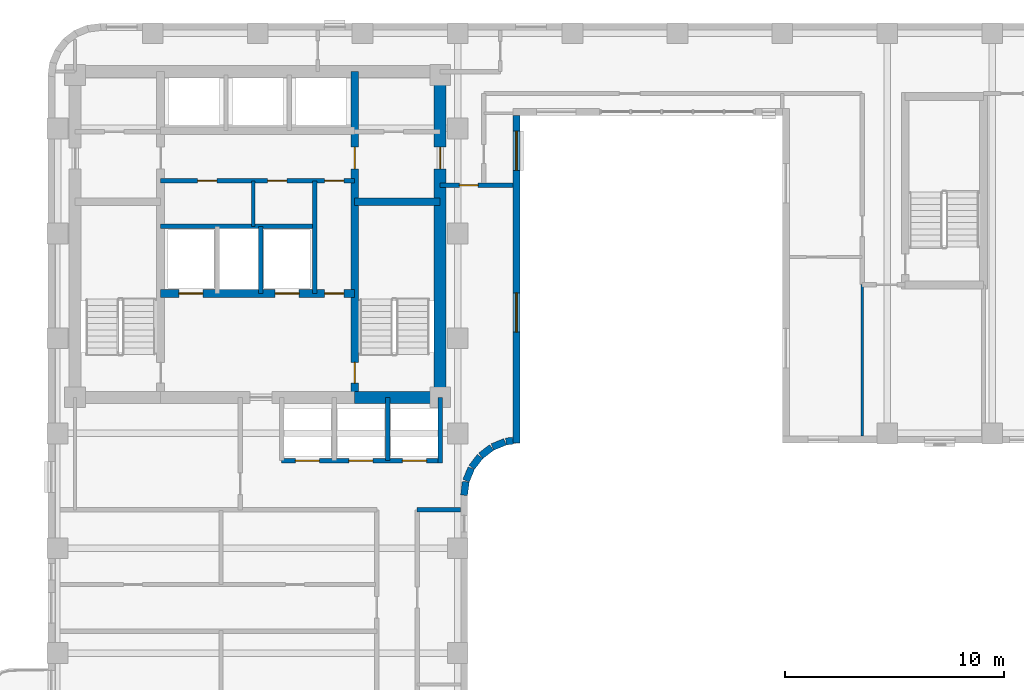
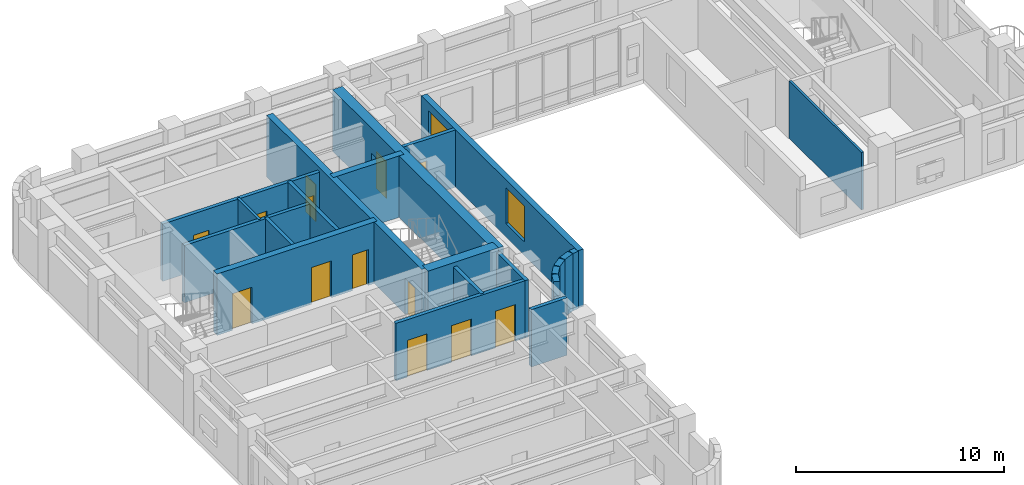
# One storey, part 5 of 11: 23 walls, 13 doors, 2 windows, 15 openings.
"""IFC4 building model written with IfcOpenShell, lengths in metres."""

import ifcopenshell
import ifcopenshell.guid

model = None  # the IFC model being written
_history = None  # IfcOwnerHistory: only IFC2X3 demands one
_inside = {}  # id of a spatial element -> (the spatial element, [elements in it])
_under = {}  # id of a project, library or spatial element -> (it, [spatial elements below it])
_declared = {}  # id of a project -> (the project, [libraries it declares])
_typed = {}  # id of a type object -> (the type object, [elements of that type])
_made_of = {}  # id of a material, layer set ... -> (it, [elements and type objects made of it])


def new_model(schema):
    """Start an empty IFC model of exactly this schema.

    Asked for "IFC4X3", IfcOpenShell would pick the latest addendum, in which some entities
    have other attributes; the version numbers below select the first issue.
    IFC2X3 requires an IfcOwnerHistory on every rooted entity: one is made here for all.
    """
    global model, _history
    if schema == "IFC4X3":
        model = ifcopenshell.file(schema_version=(4, 3, 0, 0))
    else:
        model = ifcopenshell.file(schema=schema)
    _inside.clear()
    _under.clear()
    _declared.clear()
    _typed.clear()
    _made_of.clear()
    _history = None
    if model.schema == "IFC2X3":
        org = make("IfcOrganization", Name="unknown")
        user = make(
            "IfcPersonAndOrganization",
            ThePerson=make("IfcPerson", FamilyName="unknown"),
            TheOrganization=org,
        )
        app = make(
            "IfcApplication",
            ApplicationDeveloper=org,
            Version="unknown",
            ApplicationFullName="unknown",
            ApplicationIdentifier="unknown",
        )
        _history = make(
            "IfcOwnerHistory",
            OwningUser=user,
            OwningApplication=app,
            ChangeAction="ADDED",
            CreationDate=0,
        )
    return model


def make(cls, **values):
    """One entity of the class cls with the attributes given. An attribute that is None is left unset."""
    return model.create_entity(
        cls, **{name: value for name, value in values.items() if value is not None}
    )


def rooted(cls, **values):
    """An entity with a GlobalId (a new one), such as an element, a storey or a relation."""
    return make(cls, GlobalId=ifcopenshell.guid.new(), OwnerHistory=_history, **values)


def si_unit(unit_type, name, prefix=None):
    """IfcSIUnit, for example si_unit("LENGTHUNIT", "METRE", prefix="MILLI")."""
    return make("IfcSIUnit", UnitType=unit_type, Prefix=prefix, Name=name)


def assignment(units):
    """IfcUnitAssignment: the units of a project."""
    return None if units is None else make("IfcUnitAssignment", Units=units)


def point(xyz):
    """IfcCartesianPoint."""
    return None if xyz is None else make("IfcCartesianPoint", Coordinates=xyz)


def direction(xyz):
    """IfcDirection."""
    return None if xyz is None else make("IfcDirection", DirectionRatios=xyz)


def frame(location, z_axis=None, x_axis=None):
    """IfcAxis2Placement3D, a coordinate frame: its origin and axes. An axis left out is left unset."""
    return make(
        "IfcAxis2Placement3D",
        Location=point(location),
        Axis=direction(z_axis),
        RefDirection=direction(x_axis),
    )


def frame_2d(location, x_axis=None):
    """IfcAxis2Placement2D, a coordinate frame in the plane: its origin and x axis."""
    return make(
        "IfcAxis2Placement2D", Location=point(location), RefDirection=direction(x_axis)
    )


def origin():
    """The frame at (0, 0, 0) with its axes left unset."""
    return frame((0.0, 0.0, 0.0))


def place(relative_to, where):
    """IfcLocalPlacement: puts the frame where relative to a parent placement (None: the world)."""
    return make(
        "IfcLocalPlacement", PlacementRelTo=relative_to, RelativePlacement=where
    )


def context(
    kind, dimensions, precision=None, world=None, true_north=None, identifier=None
):
    """IfcGeometricRepresentationContext, for example the 3D "Model" context."""
    return make(
        "IfcGeometricRepresentationContext",
        ContextIdentifier=identifier,
        ContextType=kind,
        CoordinateSpaceDimension=dimensions,
        Precision=precision,
        WorldCoordinateSystem=world,
        TrueNorth=true_north,
    )


def subcontext(parent, identifier, kind, view, scale=None):
    """IfcGeometricRepresentationSubContext, for example "Body" below "Model"."""
    return make(
        "IfcGeometricRepresentationSubContext",
        ContextIdentifier=identifier,
        ContextType=kind,
        ParentContext=parent,
        TargetScale=scale,
        TargetView=view,
    )


def project(units=None, contexts=None):
    """IfcProject with its units and contexts."""
    return rooted(
        "IfcProject",
        Name="project",
        RepresentationContexts=contexts,
        UnitsInContext=assignment(units),
    )


def spatial(cls, under=None, at=None, **own):
    """A site, building, storey or space (cls), placed at a placement, below another one or the project."""
    s = rooted(cls, ObjectPlacement=at, **own)
    if under is not None:
        _under.setdefault(under.id(), (under, []))[1].append(s)
    return s


def profile(cls, at=None, kind="AREA", **sizes):
    """A parametric profile (cls). Its sizes go by their IFC names, for example OverallWidth=200.0."""
    return make(cls, ProfileType=kind, Position=at, **sizes)


def rectangle(**sizes):
    """IfcRectangleProfileDef."""
    return profile("IfcRectangleProfileDef", **sizes)


def extrude(swept, where, along, depth):
    """IfcExtrudedAreaSolid: the profile swept, set in the frame where, extruded along a direction by depth."""
    return make(
        "IfcExtrudedAreaSolid",
        SweptArea=swept,
        Position=where,
        ExtrudedDirection=direction(along),
        Depth=depth,
    )


def shape(context_of_items, identifier, shape_type, items):
    """IfcShapeRepresentation: the items that make up one representation, for example the "Body"."""
    return make(
        "IfcShapeRepresentation",
        ContextOfItems=context_of_items,
        RepresentationIdentifier=identifier,
        RepresentationType=shape_type,
        Items=items,
    )


def material(Name=None, Category=None):
    """IfcMaterial."""
    return make("IfcMaterial", Name=Name, Category=Category)


def layer(
    of_material, thickness, ventilated=None, Name=None, Category=None, Priority=None
):
    """IfcMaterialLayer: one layer of a wall or slab, of a material (None: an air gap)."""
    return make(
        "IfcMaterialLayer",
        Material=of_material,
        LayerThickness=thickness,
        IsVentilated=ventilated,
        Name=Name,
        Category=Category,
        Priority=Priority,
    )


def layer_set(layers, Name=None):
    """IfcMaterialLayerSet."""
    return make("IfcMaterialLayerSet", MaterialLayers=layers, LayerSetName=Name)


def made_of(thing, what):
    """Note that an element or type object is made of a material, layer set ...; save() writes the relation."""
    if what is not None:
        _made_of.setdefault(what.id(), (what, []))[1].append(thing)
    return thing


def type_object(cls, material=None, **own):
    """A type object (cls), such as IfcWallType, which elements share."""
    return made_of(rooted(cls, **own), material)


def element(
    cls,
    number,
    at=None,
    inside=None,
    cuts=None,
    type_object=None,
    material=None,
    context=None,
    identifier="Body",
    shape_type=None,
    held_by="IfcProductDefinitionShape",
    body=None,
    shapes=None,
    **own,
):
    """One element of the class cls, such as IfcWall. Its Tag is "e" and its number.

    at: its placement. inside: the storey or other place that contains it. cuts: it is an
    opening in that element (IfcRelVoidsElement). A single representation is given by context,
    identifier, shape_type and body (its items); several are given by shapes. held_by: the class
    of the entity that holds the representations. save() writes the other relations.
    """
    e = rooted(cls, Tag="e%d" % number, ObjectPlacement=at, **own)
    if body is not None:
        shapes = [shape(context, identifier, shape_type, body)]
    if shapes is not None:
        e.Representation = make(held_by, Representations=shapes)
    if inside is not None:
        _inside.setdefault(inside.id(), (inside, []))[1].append(e)
    if cuts is not None:
        rooted(
            "IfcRelVoidsElement", RelatingBuildingElement=cuts, RelatedOpeningElement=e
        )
    if type_object is not None:
        _typed.setdefault(type_object.id(), (type_object, []))[1].append(e)
    return made_of(e, material)


def fill(opening, filler):
    """IfcRelFillsElement: the door or window that sits in an opening."""
    return rooted(
        "IfcRelFillsElement",
        RelatingOpeningElement=opening,
        RelatedBuildingElement=filler,
    )


def aggregate(whole, parts):
    """IfcRelAggregates: a whole, such as a stair, and the parts it consists of."""
    return rooted("IfcRelAggregates", RelatingObject=whole, RelatedObjects=parts)


def save(model, path):
    """Write the relations noted so far, then the file.

    IfcRelAggregates (storeys below a building ...), IfcRelContainedInSpatialStructure (elements
    in a storey), IfcRelDefinesByType, IfcRelAssociatesMaterial and IfcRelDeclares: one each for
    every whole, place, type object, material and project.
    """
    for whole, parts in _under.values():
        aggregate(whole, parts)
    for where, things in _inside.values():
        rooted(
            "IfcRelContainedInSpatialStructure",
            RelatedElements=things,
            RelatingStructure=where,
        )
    for kind, things in _typed.values():
        rooted("IfcRelDefinesByType", RelatedObjects=things, RelatingType=kind)
    for what, things in _made_of.values():
        rooted("IfcRelAssociatesMaterial", RelatedObjects=things, RelatingMaterial=what)
    for by, libraries in _declared.values():
        rooted("IfcRelDeclares", RelatingContext=by, RelatedDefinitions=libraries)
    model.write(path)


model = new_model("IFC4")

# Units and contexts
model_context = context("Model", 3, precision=1e-05, world=origin(), true_north=direction((0.0, 1.0)))
body_context = subcontext(model_context, "Body", "Model", "MODEL_VIEW")
ifc_project = project(units=[si_unit("LENGTHUNIT", "METRE"), si_unit("AREAUNIT", "SQUARE_METRE"), si_unit("VOLUMEUNIT", "CUBIC_METRE"), si_unit("PLANEANGLEUNIT", "RADIAN"), si_unit("MASSUNIT", "GRAM", prefix="KILO")], contexts=[model_context])

# Site, building, storey
site_placement = place(None, origin())
site = spatial("IfcSite", under=ifc_project, at=site_placement, CompositionType="ELEMENT")
building_placement = place(site_placement, origin())
building = spatial("IfcBuilding", under=site, at=building_placement, Name="Orvandelia Arch Residences", CompositionType="ELEMENT")
storey_placement = place(building_placement, frame((0.0, 0.0, 157.60009765625)))
storey = spatial("IfcBuildingStorey", under=building, at=storey_placement, Name="L41", CompositionType="ELEMENT", Elevation=157.60009765625)

# Wall, openings, doors
ifc_material_1 = material(Name="Concrete C50/60", Category="concrete")
ifc_layer_1 = layer(ifc_material_1, 0.35009765625, Name="Concrete C50/60", Category="concrete")
ifc_layer_set_1 = layer_set([ifc_layer_1], Name="Concrete C50/60")
wall_type_1 = type_object("IfcWallType", Name="WL-CORE-350", PredefinedType="SHEAR", material=ifc_layer_set_1)
wall_1_placement = place(storey_placement, frame((18.840087890625, 30.89990234375, 0.0), z_axis=(0.0, 0.0, 1.0), x_axis=(0.0, 1.0, 0.0)))
wall_1 = element("IfcWall", 1, at=wall_1_placement, inside=storey, type_object=wall_type_1, Name="Core Shear Wall L41-WEB2", PredefinedType="SHEAR", context=body_context, shape_type="SweptSolid", body=[
    extrude(rectangle(XDim=14.900146484375, YDim=0.35009765625, at=frame_2d((7.4501953125, 0.0))), origin(), (0.0, 0.0, 1.0), 3.599853515625),
])
opening_1_placement = place(wall_1_placement, frame((0.64990234375, 0.0, 0.0)))
opening_1 = element("IfcOpeningElement", 2, at=opening_1_placement, cuts=wall_1, Name="Opening D7", PredefinedType="OPENING", context=body_context, shape_type="SweptSolid", body=[
    extrude(rectangle(XDim=0.949951171875, YDim=2.10009765625, at=frame_2d((0.47509765625, 1.050048828125))), frame((0.0, 0.18505859375, 0.0), z_axis=(0.0, -1.0, 0.0), x_axis=(1.0, 0.0, 0.0)), (0.0, 0.0, 1.0), 0.3701171875),
])
opening_2_placement = place(wall_1_placement, frame((10.449951171875, 0.0, 0.0)))
opening_2 = element("IfcOpeningElement", 3, at=opening_2_placement, cuts=wall_1, Name="Opening D6", PredefinedType="OPENING", context=body_context, shape_type="SweptSolid", body=[
    extrude(rectangle(XDim=1.0, YDim=2.14990234375, at=frame_2d((0.5, 1.074951171875))), frame((0.0, 0.18505859375, 0.0), z_axis=(0.0, -1.0, 0.0), x_axis=(1.0, 0.0, 0.0)), (0.0, 0.0, 1.0), 0.3701171875),
])
ifc_material_2 = material(Name="Smokeproof Painted Steel Fire Door", Category="steel")
door_type_1 = type_object("IfcDoorType", Name="DR-FD60-1000", OperationType="NOTDEFINED", PredefinedType="DOOR", material=ifc_material_2)
door_1_placement = place(opening_2_placement, origin())
door_1 = element("IfcDoor", 4, at=door_1_placement, inside=storey, type_object=door_type_1, Name="High-Rise Lift Hall East Vestibule Door L41", OperationType="SINGLE_SWING_RIGHT", OverallHeight=2.14990234375, OverallWidth=1.0, PredefinedType="DOOR", context=body_context, shape_type="SweptSolid", body=[
    extrude(rectangle(XDim=1.0, YDim=2.14990234375, at=frame_2d((0.5, 1.074951171875))), frame((0.0, 0.02490234375, 0.0), z_axis=(0.0, -1.0, 0.0), x_axis=(1.0, 0.0, 0.0)), (0.0, 0.0, 1.0), 0.050048828125),
])
fill(opening_2, door_1)
ifc_material_3 = material(Name="Pressurised Stairwell Fire Door")
door_type_2 = type_object("IfcDoorType", Name="DR-STAIR-950", OperationType="NOTDEFINED", PredefinedType="DOOR", material=ifc_material_3)
door_2_placement = place(opening_1_placement, origin())
door_2 = element("IfcDoor", 5, at=door_2_placement, inside=storey, type_object=door_type_2, Name="Stairwell ST-2 Fire Door L41", OperationType="SINGLE_SWING_RIGHT", OverallHeight=2.10009765625, OverallWidth=0.949951171875, PredefinedType="DOOR", context=body_context, shape_type="SweptSolid", body=[
    extrude(rectangle(XDim=0.949951171875, YDim=2.10009765625, at=frame_2d((0.47509765625, 1.050048828125))), frame((0.0, 0.02490234375, 0.0), z_axis=(0.0, -1.0, 0.0), x_axis=(1.0, 0.0, 0.0)), (0.0, 0.0, 1.0), 0.050048828125),
])
fill(opening_1, door_2)

# Wall
wall_2_placement = place(storey_placement, frame((18.840087890625, 39.85009765625, 0.0), z_axis=(0.0, 0.0, 1.0), x_axis=(1.0, 0.0, 0.0)))
element("IfcWall", 6, at=wall_2_placement, inside=storey, type_object=wall_type_1, Name="Core Shear Wall L41-HZ2", PredefinedType="SHEAR", context=body_context, shape_type="SweptSolid", body=[
    extrude(rectangle(XDim=3.909912109375, YDim=0.35009765625, at=frame_2d((1.955078125, 0.0))), origin(), (0.0, 0.0, 1.0), 3.599853515625),
])

# Wall, openings, doors
wall_3_placement = place(storey_placement, frame((9.9599609375, 35.64990234375, 0.0), z_axis=(0.0, 0.0, 1.0), x_axis=(1.0, 0.0, 0.0)))
wall_3 = element("IfcWall", 7, at=wall_3_placement, inside=storey, type_object=wall_type_1, Name="Core Shear Wall L41-HZ3", PredefinedType="SHEAR", context=body_context, shape_type="SweptSolid", body=[
    extrude(rectangle(XDim=8.880126953125, YDim=0.35009765625, at=frame_2d((4.43994140625, 0.0))), origin(), (0.0, 0.0, 1.0), 3.599853515625),
])
opening_3_placement = place(wall_3_placement, frame((0.840087890625, 0.0, 0.0)))
opening_3 = element("IfcOpeningElement", 8, at=opening_3_placement, cuts=wall_3, Name="Opening FLD", PredefinedType="OPENING", context=body_context, shape_type="SweptSolid", body=[
    extrude(rectangle(XDim=1.10009765625, YDim=2.14990234375, at=frame_2d((0.550048828125, 1.074951171875))), frame((0.0, 0.18505859375, 0.0), z_axis=(0.0, -1.0, 0.0), x_axis=(1.0, 0.0, 0.0)), (0.0, 0.0, 1.0), 0.3701171875),
])
opening_4_placement = place(wall_3_placement, frame((5.239990234375, 0.0, 0.0)))
opening_4 = element("IfcOpeningElement", 9, at=opening_4_placement, cuts=wall_3, Name="Opening FLD", PredefinedType="OPENING", context=body_context, shape_type="SweptSolid", body=[
    extrude(rectangle(XDim=1.10009765625, YDim=2.14990234375, at=frame_2d((0.550048828125, 1.074951171875))), frame((0.0, 0.18505859375, 0.0), z_axis=(0.0, -1.0, 0.0), x_axis=(1.0, 0.0, 0.0)), (0.0, 0.0, 1.0), 0.3701171875),
])
opening_5_placement = place(wall_3_placement, frame((7.5, 0.0, 0.0)))
opening_5 = element("IfcOpeningElement", 10, at=opening_5_placement, cuts=wall_3, Name="Opening D5", PredefinedType="OPENING", context=body_context, shape_type="SweptSolid", body=[
    extrude(rectangle(XDim=0.8798828125, YDim=2.10009765625, at=frame_2d((0.43994140625, 1.050048828125))), frame((0.0, 0.18505859375, 0.0), z_axis=(0.0, -1.0, 0.0), x_axis=(1.0, 0.0, 0.0)), (0.0, 0.0, 1.0), 0.3701171875),
])
ifc_material_4 = material(Name="Firefighting Lift Stainless Sliding Door")
door_type_3 = type_object("IfcDoorType", Name="DR-FLFT-1100", OperationType="NOTDEFINED", PredefinedType="DOOR", material=ifc_material_4)
door_3_placement = place(opening_3_placement, origin())
door_3 = element("IfcDoor", 11, at=door_3_placement, inside=storey, type_object=door_type_3, Name="Firefighting Lift Landing Door FLD-FL1-L41", OperationType="SLIDING_TO_LEFT", OverallHeight=2.14990234375, OverallWidth=1.10009765625, PredefinedType="DOOR", context=body_context, shape_type="SweptSolid", body=[
    extrude(rectangle(XDim=1.10009765625, YDim=2.14990234375, at=frame_2d((0.550048828125, 1.074951171875))), frame((0.0, 0.02490234375, 0.0), z_axis=(0.0, -1.0, 0.0), x_axis=(1.0, 0.0, 0.0)), (0.0, 0.0, 1.0), 0.050048828125),
])
fill(opening_3, door_3)
door_4_placement = place(opening_4_placement, origin())
door_4 = element("IfcDoor", 12, at=door_4_placement, inside=storey, type_object=door_type_3, Name="Firefighting Lift Landing Door FLD-FL2-L41", OperationType="SLIDING_TO_RIGHT", OverallHeight=2.14990234375, OverallWidth=1.10009765625, PredefinedType="DOOR", context=body_context, shape_type="SweptSolid", body=[
    extrude(rectangle(XDim=1.10009765625, YDim=2.14990234375, at=frame_2d((0.550048828125, 1.074951171875))), frame((0.0, 0.02490234375, 0.0), z_axis=(0.0, -1.0, 0.0), x_axis=(1.0, 0.0, 0.0)), (0.0, 0.0, 1.0), 0.050048828125),
])
fill(opening_4, door_4)
ifc_material_5 = material(Name="Painted Galvanised Steel Service Door", Category="steel")
door_type_4 = type_object("IfcDoorType", Name="DR-SRV-880", OperationType="NOTDEFINED", PredefinedType="DOOR", material=ifc_material_5)
door_5_placement = place(opening_5_placement, origin())
door_5 = element("IfcDoor", 13, at=door_5_placement, inside=storey, type_object=door_type_4, Name="Core Stairway Passage South Fire Door L41", OperationType="SINGLE_SWING_LEFT", OverallHeight=2.10009765625, OverallWidth=0.8798828125, PredefinedType="DOOR", context=body_context, shape_type="SweptSolid", body=[
    extrude(rectangle(XDim=0.8798828125, YDim=2.10009765625, at=frame_2d((0.43994140625, 1.050048828125))), frame((0.0, 0.02490234375, 0.0), z_axis=(0.0, -1.0, 0.0), x_axis=(1.0, 0.0, 0.0)), (0.0, 0.0, 1.0), 0.050048828125),
])
fill(opening_5, door_5)

# Wall, opening, door
ifc_material_6 = material(Name="Concrete C60/75", Category="concrete")
ifc_layer_2 = layer(ifc_material_6, 0.550048828125, Name="Concrete C60/75", Category="concrete")
ifc_layer_set_2 = layer_set([ifc_layer_2], Name="Concrete C60/75")
wall_type_2 = type_object("IfcWallType", Name="WL-CORE-550", PredefinedType="SHEAR", material=ifc_layer_set_2)
wall_4_placement = place(storey_placement, frame((22.75, 30.625, 0.0), z_axis=(0.0, 0.0, 1.0), x_axis=(0.0, 1.0, 0.0)))
wall_4 = element("IfcWall", 14, at=wall_4_placement, inside=storey, type_object=wall_type_2, Name="Core Shear Wall L41-E", PredefinedType="SHEAR", context=body_context, shape_type="SweptSolid", body=[
    extrude(rectangle(XDim=15.449951171875, YDim=0.550048828125, at=frame_2d((7.72509765625, 0.0))), origin(), (0.0, 0.0, 1.0), 3.599853515625),
])
opening_6_placement = place(wall_4_placement, frame((10.72509765625, 0.0, 0.0)))
opening_6 = element("IfcOpeningElement", 15, at=opening_6_placement, cuts=wall_4, Name="Opening D6", PredefinedType="OPENING", context=body_context, shape_type="SweptSolid", body=[
    extrude(rectangle(XDim=1.0, YDim=2.14990234375, at=frame_2d((0.5, 1.074951171875))), frame((0.0, 0.28515625, 0.0), z_axis=(0.0, -1.0, 0.0), x_axis=(1.0, 0.0, 0.0)), (0.0, 0.0, 1.0), 0.570068359375),
])
door_6_placement = place(opening_6_placement, origin())
door_6 = element("IfcDoor", 16, at=door_6_placement, inside=storey, type_object=door_type_1, Name="Core East Corridor Link Door L41", OperationType="SINGLE_SWING_LEFT", OverallHeight=2.14990234375, OverallWidth=1.0, PredefinedType="DOOR", context=body_context, shape_type="SweptSolid", body=[
    extrude(rectangle(XDim=1.0, YDim=2.14990234375, at=frame_2d((0.5, 1.074951171875))), frame((0.0, 0.02490234375, 0.0), z_axis=(0.0, -1.0, 0.0), x_axis=(1.0, 0.0, 0.0)), (0.0, 0.0, 1.0), 0.050048828125),
])
fill(opening_6, door_6)

# Walls
wall_5_placement = place(storey_placement, frame((18.840087890625, 30.89990234375, 0.0), z_axis=(0.0, 0.0, 1.0), x_axis=(1.0, 0.0, 0.0)))
element("IfcWall", 17, at=wall_5_placement, inside=storey, type_object=wall_type_2, Name="Core Shear Wall L41-SE", PredefinedType="SHEAR", context=body_context, shape_type="SweptSolid", body=[
    extrude(rectangle(XDim=3.909912109375, YDim=0.550048828125, at=frame_2d((1.955078125, 0.0))), origin(), (0.0, 0.0, 1.0), 3.599853515625),
])
ifc_material_7 = material(Name="Fire-Rated Corridor Partition")
ifc_layer_3 = layer(ifc_material_7, 0.199951171875, Name="Fire-Rated Corridor Partition")
ifc_layer_set_3 = layer_set([ifc_layer_3], Name="Fire-Rated Corridor Partition")
wall_type_3 = type_object("IfcWallType", Name="WL-CORR-200", PredefinedType="PARTITIONING", material=ifc_layer_set_3)
wall_6_placement = place(storey_placement, frame((21.699951171875, 25.75, 0.0), z_axis=(0.0, 0.0, 1.0), x_axis=(1.0, 0.0, 0.0)))
element("IfcWall", 18, at=wall_6_placement, inside=storey, type_object=wall_type_3, Name="Interior Partition Wall WL-L41-WCLS-E", PredefinedType="PARTITIONING", context=body_context, shape_type="SweptSolid", body=[
    extrude(rectangle(XDim=1.97998046875, YDim=0.199951171875, at=frame_2d((0.989990234375, 0.0))), origin(), (0.0, 0.0, 1.0), 3.35986328125),
])

# Wall, opening, door
wall_7_placement = place(storey_placement, frame((22.75, 40.60009765625, 0.0), z_axis=(0.0, 0.0, 1.0), x_axis=(1.0, 0.0, 0.0)))
wall_7 = element("IfcWall", 19, at=wall_7_placement, inside=storey, type_object=wall_type_3, Name="Interior Partition Wall WL-L41-ENP-LS", PredefinedType="PARTITIONING", context=body_context, shape_type="SweptSolid", body=[
    extrude(rectangle(XDim=3.330078125, YDim=0.199951171875, at=frame_2d((1.6650390625, 0.0))), origin(), (0.0, 0.0, 1.0), 3.35986328125),
])
opening_7_placement = place(wall_7_placement, frame((0.8798828125, 0.0, 0.0)))
opening_7 = element("IfcOpeningElement", 20, at=opening_7_placement, cuts=wall_7, Name="Opening D4", PredefinedType="OPENING", context=body_context, shape_type="SweptSolid", body=[
    extrude(rectangle(XDim=0.860107421875, YDim=2.10009765625, at=frame_2d((0.43017578125, 1.050048828125))), frame((0.0, 0.10986328125, 0.0), z_axis=(0.0, -1.0, 0.0), x_axis=(1.0, 0.0, 0.0)), (0.0, 0.0, 1.0), 0.219970703125),
])
ifc_material_8 = material(Name="Moisture-Sealed Timber Bathroom Door", Category="wood")
door_type_5 = type_object("IfcDoorType", Name="DR-WET-900", OperationType="NOTDEFINED", PredefinedType="DOOR", material=ifc_material_8)
door_7_placement = place(opening_7_placement, origin())
door_7 = element("IfcDoor", 21, at=door_7_placement, inside=storey, type_object=door_type_5, Name="DR-L41-VPWL", OperationType="SINGLE_SWING_RIGHT", OverallHeight=2.10009765625, OverallWidth=0.860107421875, PredefinedType="DOOR", context=body_context, shape_type="SweptSolid", body=[
    extrude(rectangle(XDim=0.860107421875, YDim=2.10009765625, at=frame_2d((0.43017578125, 1.050048828125))), frame((0.0, 0.02490234375, 0.0), z_axis=(0.0, -1.0, 0.0), x_axis=(1.0, 0.0, 0.0)), (0.0, 0.0, 1.0), 0.050048828125),
])
fill(opening_7, door_7)

# Wall, openings, windows
ifc_material_9 = material(Name="Precast concrete C40/50", Category="concrete")
ifc_layer_4 = layer(ifc_material_9, 0.320068359375, Name="Precast concrete C40/50", Category="concrete")
ifc_layer_set_4 = layer_set([ifc_layer_4], Name="Precast concrete C40/50")
wall_type_4 = type_object("IfcWallType", Name="WL-EXT-STONE-320", PredefinedType="STANDARD", material=ifc_layer_set_4)
wall_8_placement = place(storey_placement, frame((26.239990234375, 43.800048828125, 0.0), z_axis=(0.0, 0.0, 1.0), x_axis=(0.0, -1.0, 0.0)))
wall_8 = element("IfcWall", 22, at=wall_8_placement, inside=storey, type_object=wall_type_4, Name="Coral-Limestone Precast Facade Wall L41-025", PredefinedType="STANDARD", context=body_context, shape_type="SweptSolid", body=[
    extrude(rectangle(XDim=15.0, YDim=0.320068359375, at=frame_2d((7.5, 0.0))), origin(), (0.0, 0.0, 1.0), 3.35986328125),
])
opening_8_placement = place(wall_8_placement, frame((8.1201171875, 0.0, 0.800048828125)))
opening_8 = element("IfcOpeningElement", 23, at=opening_8_placement, cuts=wall_8, Name="Opening W1", PredefinedType="OPENING", context=body_context, shape_type="SweptSolid", body=[
    extrude(rectangle(XDim=1.800048828125, YDim=2.10009765625, at=frame_2d((0.89990234375, 1.050048828125))), frame((0.0, 0.169921875, 0.0), z_axis=(0.0, -1.0, 0.0), x_axis=(1.0, 0.0, 0.0)), (0.0, 0.0, 1.0), 0.340087890625),
])
opening_9_placement = place(wall_8_placement, frame((0.719970703125, 0.0, 0.800048828125)))
opening_9 = element("IfcOpeningElement", 24, at=opening_9_placement, cuts=wall_8, Name="Opening W1", PredefinedType="OPENING", context=body_context, shape_type="SweptSolid", body=[
    extrude(rectangle(XDim=1.800048828125, YDim=2.10009765625, at=frame_2d((0.89990234375, 1.050048828125))), frame((0.0, 0.169921875, 0.0), z_axis=(0.0, -1.0, 0.0), x_axis=(1.0, 0.0, 0.0)), (0.0, 0.0, 1.0), 0.340087890625),
])
ifc_material_10 = material(Name="Tempered Low-E Insulated Glazing", Category="glass")
window_type = type_object("IfcWindowType", Name="WIN-RES-1800x2100", PartitioningType="SINGLE_PANEL", PredefinedType="WINDOW", material=ifc_material_10)
window_1_placement = place(opening_8_placement, origin())
window_1 = element("IfcWindow", 25, at=window_1_placement, inside=storey, type_object=window_type, Name="Recessed Punched Window L41-014", OverallHeight=2.10009765625, OverallWidth=1.800048828125, PartitioningType="SINGLE_PANEL", PredefinedType="WINDOW", context=body_context, shape_type="SweptSolid", body=[
    extrude(rectangle(XDim=1.800048828125, YDim=2.10009765625, at=frame_2d((0.89990234375, 1.050048828125))), frame((0.0, 0.030029296875, 0.0), z_axis=(0.0, -1.0, 0.0), x_axis=(1.0, 0.0, 0.0)), (0.0, 0.0, 1.0), 0.06005859375),
])
fill(opening_8, window_1)
window_2_placement = place(opening_9_placement, origin())
window_2 = element("IfcWindow", 26, at=window_2_placement, inside=storey, type_object=window_type, Name="Recessed Punched Window L41-015", OverallHeight=2.10009765625, OverallWidth=1.800048828125, PartitioningType="SINGLE_PANEL", PredefinedType="WINDOW", context=body_context, shape_type="SweptSolid", body=[
    extrude(rectangle(XDim=1.800048828125, YDim=2.10009765625, at=frame_2d((0.89990234375, 1.050048828125))), frame((0.0, 0.030029296875, 0.0), z_axis=(0.0, -1.0, 0.0), x_axis=(1.0, 0.0, 0.0)), (0.0, 0.0, 1.0), 0.06005859375),
])
fill(opening_9, window_2)

# Walls
wall_9_placement = place(storey_placement, frame((26.081787109375, 28.91943359375, 0.0), z_axis=(0.0, 0.0, 1.0), x_axis=(-0.991512688813, -0.130009953168, 0.0)))
element("IfcWall", 27, at=wall_9_placement, inside=storey, type_object=wall_type_4, Name="Coral-Limestone Precast Facade Wall L41-026", PredefinedType="STANDARD", context=body_context, shape_type="SweptSolid", body=[
    extrude(rectangle(XDim=0.32666015625, YDim=0.320068359375, at=frame_2d((0.163330078125, 0.0))), origin(), (0.0, 0.0, 1.0), 3.35986328125),
])
wall_10_placement = place(storey_placement, frame((25.717529296875, 28.865966796875, 0.0), z_axis=(0.0, 0.0, 1.0), x_axis=(-0.923836271867, -0.382787856107, 0.0)))
element("IfcWall", 28, at=wall_10_placement, inside=storey, type_object=wall_type_4, Name="Coral-Limestone Precast Facade Wall L41-027", PredefinedType="STANDARD", context=body_context, shape_type="SweptSolid", body=[
    extrude(rectangle(XDim=0.626220703125, YDim=0.320068359375, at=frame_2d((0.31298828125, 0.0))), origin(), (0.0, 0.0, 1.0), 3.35986328125),
])
for number, where, z_axis, x_axis, name in (
    (29, (25.1025390625, 28.60546875, 0.0), (0.0, 0.0, 1.0), (-0.793405610854, -0.608693302629, 0.0), "Coral-Limestone Precast Facade Wall L41-028"),
    (30, (24.575927734375, 28.194580078125, 0.0), (0.0, 0.0, 1.0), (-0.608693302629, -0.793405610854, 0.0), "Coral-Limestone Precast Facade Wall L41-029"),
):
    element("IfcWall", number, at=place(storey_placement, frame(where, z_axis=z_axis, x_axis=x_axis)), inside=storey, type_object=wall_type_4, Name=name, PredefinedType="STANDARD", context=body_context, shape_type="SweptSolid", body=[
        extrude(rectangle(XDim=0.62646484375, YDim=0.320068359375, at=frame_2d((0.313232421875, 0.0))), origin(), (0.0, 0.0, 1.0), 3.35986328125),
    ])
wall_11_placement = place(storey_placement, frame((24.173583984375, 27.6611328125, 0.0), z_axis=(0.0, 0.0, 1.0), x_axis=(-0.382455093999, -0.923974080304, 0.0)))
element("IfcWall", 31, at=wall_11_placement, inside=storey, type_object=wall_type_4, Name="Coral-Limestone Precast Facade Wall L41-030", PredefinedType="STANDARD", context=body_context, shape_type="SweptSolid", body=[
    extrude(rectangle(XDim=0.626220703125, YDim=0.320068359375, at=frame_2d((0.31298828125, 0.0))), origin(), (0.0, 0.0, 1.0), 3.35986328125),
])
wall_12_placement = place(storey_placement, frame((23.923095703125, 27.0419921875, 0.0), z_axis=(0.0, 0.0, 1.0), x_axis=(-0.130555323746, -0.9914410257, 0.0)))
element("IfcWall", 32, at=wall_12_placement, inside=storey, type_object=wall_type_4, Name="Coral-Limestone Precast Facade Wall L41-031", PredefinedType="STANDARD", context=body_context, shape_type="SweptSolid", body=[
    extrude(rectangle(XDim=0.62646484375, YDim=0.320068359375, at=frame_2d((0.313232421875, 0.0))), origin(), (0.0, 0.0, 1.0), 2.539794921875),
])
ifc_material_11 = material(Name="Lightweight Gypsum Stud Partition")
ifc_layer_5 = layer(ifc_material_11, 0.1201171875, Name="Lightweight Gypsum Stud Partition")
ifc_layer_set_5 = layer_set([ifc_layer_5], Name="Lightweight Gypsum Stud Partition")
wall_type_5 = type_object("IfcWallType", Name="WL-PART-120", PredefinedType="PARTITIONING", material=ifc_layer_set_5)
wall_13_placement = place(storey_placement, frame((42.050048828125, 29.1201171875, 0.0), z_axis=(0.0, 0.0, 1.0), x_axis=(0.0, 1.0, 0.0)))
element("IfcWall", 33, at=wall_13_placement, inside=storey, type_object=wall_type_5, Name="Interior Partition Wall WL-L41-VPS3-W", PredefinedType="PARTITIONING", context=body_context, shape_type="SweptSolid", body=[
    extrude(rectangle(XDim=6.929931640625, YDim=0.1201171875, at=frame_2d((3.46484375, 0.0))), origin(), (0.0, 0.0, 1.0), 3.35986328125),
])
ifc_material_12 = material(Name="Acoustic Gypsum Stud Partition")
ifc_layer_6 = layer(ifc_material_12, 0.14990234375, Name="Acoustic Gypsum Stud Partition")
ifc_layer_set_6 = layer_set([ifc_layer_6], Name="Acoustic Gypsum Stud Partition")
wall_type_6 = type_object("IfcWallType", Name="WL-PART-150", PredefinedType="PARTITIONING", material=ifc_layer_set_6)
wall_14_placement = place(storey_placement, frame((14.199951171875, 38.719970703125, 0.0), z_axis=(0.0, 0.0, 1.0), x_axis=(0.0, 1.0, 0.0)))
element("IfcWall", 34, at=wall_14_placement, inside=storey, type_object=wall_type_6, Name="Interior Partition Wall WL-L41-CSA-1", PredefinedType="PARTITIONING", context=body_context, shape_type="SweptSolid", body=[
    extrude(rectangle(XDim=2.080078125, YDim=0.14990234375, at=frame_2d((1.0400390625, 0.0))), origin(), (0.0, 0.0, 1.0), 3.35986328125),
])
ifc_material_13 = material(Name="Fire-Rated Shaft Enclosure Wall")
ifc_layer_7 = layer(ifc_material_13, 0.199951171875, Name="Fire-Rated Shaft Enclosure Wall")
ifc_layer_set_7 = layer_set([ifc_layer_7], Name="Fire-Rated Shaft Enclosure Wall")
wall_type_7 = type_object("IfcWallType", Name="WL-SHAFT-200", PredefinedType="POLYGONAL", material=ifc_layer_set_7)
wall_15_placement = place(storey_placement, frame((9.9599609375, 38.719970703125, 0.0), z_axis=(0.0, 0.0, 1.0), x_axis=(1.0, 0.0, 0.0)))
element("IfcWall", 35, at=wall_15_placement, inside=storey, type_object=wall_type_7, Name="Interior Partition Wall WL-L41-FLN", PredefinedType="POLYGONAL", context=body_context, shape_type="SweptSolid", body=[
    extrude(rectangle(XDim=7.06005859375, YDim=0.199951171875, at=frame_2d((3.530029296875, 0.0))), origin(), (0.0, 0.0, 1.0), 3.35986328125),
])
wall_16_placement = place(storey_placement, frame((14.550048828125, 35.64990234375, 0.0), z_axis=(0.0, 0.0, 1.0), x_axis=(0.0, 1.0, 0.0)))
element("IfcWall", 36, at=wall_16_placement, inside=storey, type_object=wall_type_7, Name="Interior Partition Wall WL-L41-FLM2", PredefinedType="POLYGONAL", context=body_context, shape_type="SweptSolid", body=[
    extrude(rectangle(XDim=3.070068359375, YDim=0.199951171875, at=frame_2d((1.53515625, 0.0))), origin(), (0.0, 0.0, 1.0), 3.35986328125),
])
wall_17_placement = place(storey_placement, frame((17.02001953125, 35.64990234375, 0.0), z_axis=(0.0, 0.0, 1.0), x_axis=(0.0, 1.0, 0.0)))
element("IfcWall", 37, at=wall_17_placement, inside=storey, type_object=wall_type_7, Name="Interior Partition Wall WL-L41-FLM3", PredefinedType="POLYGONAL", context=body_context, shape_type="SweptSolid", body=[
    extrude(rectangle(XDim=5.150146484375, YDim=0.199951171875, at=frame_2d((2.5751953125, 0.0))), origin(), (0.0, 0.0, 1.0), 3.35986328125),
])

# Wall, openings, doors
wall_18_placement = place(storey_placement, frame((9.9599609375, 40.800048828125, 0.0), z_axis=(0.0, 0.0, 1.0), x_axis=(1.0, 0.0, 0.0)))
wall_18 = element("IfcWall", 38, at=wall_18_placement, inside=storey, type_object=wall_type_7, Name="Interior Partition Wall WL-L41-HLH-S", PredefinedType="POLYGONAL", context=body_context, shape_type="SweptSolid", body=[
    extrude(rectangle(XDim=8.880126953125, YDim=0.199951171875, at=frame_2d((4.43994140625, 0.0))), origin(), (0.0, 0.0, 1.0), 3.35986328125),
])
opening_10_placement = place(wall_18_placement, frame((7.5, 0.0, 0.0)))
opening_10 = element("IfcOpeningElement", 39, at=opening_10_placement, cuts=wall_18, Name="Opening D5", PredefinedType="OPENING", context=body_context, shape_type="SweptSolid", body=[
    extrude(rectangle(XDim=0.8798828125, YDim=2.10009765625, at=frame_2d((0.43994140625, 1.050048828125))), frame((0.0, 0.10986328125, 0.0), z_axis=(0.0, -1.0, 0.0), x_axis=(1.0, 0.0, 0.0)), (0.0, 0.0, 1.0), 0.219970703125),
])
opening_11_placement = place(wall_18_placement, frame((1.699951171875, 0.0, 0.0)))
opening_11 = element("IfcOpeningElement", 40, at=opening_11_placement, cuts=wall_18, Name="Opening D5", PredefinedType="OPENING", context=body_context, shape_type="SweptSolid", body=[
    extrude(rectangle(XDim=0.8798828125, YDim=2.10009765625, at=frame_2d((0.43994140625, 1.050048828125))), frame((0.0, 0.10986328125, 0.0), z_axis=(0.0, -1.0, 0.0), x_axis=(1.0, 0.0, 0.0)), (0.0, 0.0, 1.0), 0.219970703125),
])
opening_12_placement = place(wall_18_placement, frame((4.89990234375, 0.0, 0.0)))
opening_12 = element("IfcOpeningElement", 41, at=opening_12_placement, cuts=wall_18, Name="Opening D5", PredefinedType="OPENING", context=body_context, shape_type="SweptSolid", body=[
    extrude(rectangle(XDim=0.8798828125, YDim=2.10009765625, at=frame_2d((0.43994140625, 1.050048828125))), frame((0.0, 0.10986328125, 0.0), z_axis=(0.0, -1.0, 0.0), x_axis=(1.0, 0.0, 0.0)), (0.0, 0.0, 1.0), 0.219970703125),
])
door_8_placement = place(opening_10_placement, origin())
door_8 = element("IfcDoor", 42, at=door_8_placement, inside=storey, type_object=door_type_4, Name="Core Stairway Passage North Fire Door L41", OperationType="SINGLE_SWING_RIGHT", OverallHeight=2.10009765625, OverallWidth=0.8798828125, PredefinedType="DOOR", context=body_context, shape_type="SweptSolid", body=[
    extrude(rectangle(XDim=0.8798828125, YDim=2.10009765625, at=frame_2d((0.43994140625, 1.050048828125))), frame((0.0, 0.02490234375, 0.0), z_axis=(0.0, -1.0, 0.0), x_axis=(1.0, 0.0, 0.0)), (0.0, 0.0, 1.0), 0.050048828125),
])
fill(opening_10, door_8)
door_9_placement = place(opening_11_placement, origin())
door_9 = element("IfcDoor", 43, at=door_9_placement, inside=storey, type_object=door_type_4, Name="DR-L41-CSA1", OperationType="SINGLE_SWING_LEFT", OverallHeight=2.10009765625, OverallWidth=0.8798828125, PredefinedType="DOOR", context=body_context, shape_type="SweptSolid", body=[
    extrude(rectangle(XDim=0.8798828125, YDim=2.10009765625, at=frame_2d((0.43994140625, 1.050048828125))), frame((0.0, 0.02490234375, 0.0), z_axis=(0.0, -1.0, 0.0), x_axis=(1.0, 0.0, 0.0)), (0.0, 0.0, 1.0), 0.050048828125),
])
fill(opening_11, door_9)
door_10_placement = place(opening_12_placement, origin())
door_10 = element("IfcDoor", 44, at=door_10_placement, inside=storey, type_object=door_type_4, Name="DR-L41-CSA2", OperationType="SINGLE_SWING_RIGHT", OverallHeight=2.10009765625, OverallWidth=0.8798828125, PredefinedType="DOOR", context=body_context, shape_type="SweptSolid", body=[
    extrude(rectangle(XDim=0.8798828125, YDim=2.10009765625, at=frame_2d((0.43994140625, 1.050048828125))), frame((0.0, 0.02490234375, 0.0), z_axis=(0.0, -1.0, 0.0), x_axis=(1.0, 0.0, 0.0)), (0.0, 0.0, 1.0), 0.050048828125),
])
fill(opening_12, door_10)

wall_19_placement = place(storey_placement, frame((15.5, 28.0, 0.0), z_axis=(0.0, 0.0, 1.0), x_axis=(1.0, 0.0, 0.0)))
wall_19 = element("IfcWall", 45, at=wall_19_placement, inside=storey, type_object=wall_type_7, Name="Interior Partition Wall WL-L41-BNKM-S", PredefinedType="POLYGONAL", context=body_context, shape_type="SweptSolid", body=[
    extrude(rectangle(XDim=7.25, YDim=0.199951171875, at=frame_2d((3.625, 0.0))), origin(), (0.0, 0.0, 1.0), 3.35986328125),
])
opening_13_placement = place(wall_19_placement, frame((0.625, 0.0, 0.0)))
opening_13 = element("IfcOpeningElement", 46, at=opening_13_placement, cuts=wall_19, Name="Opening LD", PredefinedType="OPENING", context=body_context, shape_type="SweptSolid", body=[
    extrude(rectangle(XDim=1.10009765625, YDim=2.14990234375, at=frame_2d((0.550048828125, 1.074951171875))), frame((0.0, 0.10986328125, 0.0), z_axis=(0.0, -1.0, 0.0), x_axis=(1.0, 0.0, 0.0)), (0.0, 0.0, 1.0), 0.219970703125),
])
opening_14_placement = place(wall_19_placement, frame((3.074951171875, 0.0, 0.0)))
opening_14 = element("IfcOpeningElement", 47, at=opening_14_placement, cuts=wall_19, Name="Opening LD", PredefinedType="OPENING", context=body_context, shape_type="SweptSolid", body=[
    extrude(rectangle(XDim=1.10009765625, YDim=2.14990234375, at=frame_2d((0.550048828125, 1.074951171875))), frame((0.0, 0.10986328125, 0.0), z_axis=(0.0, -1.0, 0.0), x_axis=(1.0, 0.0, 0.0)), (0.0, 0.0, 1.0), 0.219970703125),
])
opening_15_placement = place(wall_19_placement, frame((5.52490234375, 0.0, 0.0)))
opening_15 = element("IfcOpeningElement", 48, at=opening_15_placement, cuts=wall_19, Name="Opening LD", PredefinedType="OPENING", context=body_context, shape_type="SweptSolid", body=[
    extrude(rectangle(XDim=1.10009765625, YDim=2.14990234375, at=frame_2d((0.550048828125, 1.074951171875))), frame((0.0, 0.10986328125, 0.0), z_axis=(0.0, -1.0, 0.0), x_axis=(1.0, 0.0, 0.0)), (0.0, 0.0, 1.0), 0.219970703125),
])
ifc_material_14 = material(Name="Brushed Stainless Steel Sliding Lift Door", Category="steel")
door_type_6 = type_object("IfcDoorType", Name="DR-LIFT-1100", OperationType="NOTDEFINED", PredefinedType="DOOR", material=ifc_material_14)
door_11_placement = place(opening_13_placement, origin())
door_11 = element("IfcDoor", 49, at=door_11_placement, inside=storey, type_object=door_type_6, Name="Lift Landing Door LD-PM1", OperationType="SLIDING_TO_LEFT", OverallHeight=2.14990234375, OverallWidth=1.10009765625, PredefinedType="DOOR", context=body_context, shape_type="SweptSolid", body=[
    extrude(rectangle(XDim=1.10009765625, YDim=2.14990234375, at=frame_2d((0.550048828125, 1.074951171875))), frame((0.0, 0.02490234375, 0.0), z_axis=(0.0, -1.0, 0.0), x_axis=(1.0, 0.0, 0.0)), (0.0, 0.0, 1.0), 0.050048828125),
])
fill(opening_13, door_11)
door_12_placement = place(opening_14_placement, origin())
door_12 = element("IfcDoor", 50, at=door_12_placement, inside=storey, type_object=door_type_6, Name="Lift Landing Door LD-PM2", OperationType="SLIDING_TO_RIGHT", OverallHeight=2.14990234375, OverallWidth=1.10009765625, PredefinedType="DOOR", context=body_context, shape_type="SweptSolid", body=[
    extrude(rectangle(XDim=1.10009765625, YDim=2.14990234375, at=frame_2d((0.550048828125, 1.074951171875))), frame((0.0, 0.02490234375, 0.0), z_axis=(0.0, -1.0, 0.0), x_axis=(1.0, 0.0, 0.0)), (0.0, 0.0, 1.0), 0.050048828125),
])
fill(opening_14, door_12)
door_13_placement = place(opening_15_placement, origin())
door_13 = element("IfcDoor", 51, at=door_13_placement, inside=storey, type_object=door_type_6, Name="Lift Landing Door LD-PM3", OperationType="SLIDING_TO_LEFT", OverallHeight=2.14990234375, OverallWidth=1.10009765625, PredefinedType="DOOR", context=body_context, shape_type="SweptSolid", body=[
    extrude(rectangle(XDim=1.10009765625, YDim=2.14990234375, at=frame_2d((0.550048828125, 1.074951171875))), frame((0.0, 0.02490234375, 0.0), z_axis=(0.0, -1.0, 0.0), x_axis=(1.0, 0.0, 0.0)), (0.0, 0.0, 1.0), 0.050048828125),
])
fill(opening_15, door_13)

# Walls
wall_20_placement = place(storey_placement, frame((22.75, 27.89990234375, 0.0), z_axis=(0.0, 0.0, 1.0), x_axis=(0.0, 1.0, 0.0)))
element("IfcWall", 52, at=wall_20_placement, inside=storey, type_object=wall_type_7, Name="Interior Partition Wall WL-L41-BNKM-E", PredefinedType="POLYGONAL", context=body_context, shape_type="SweptSolid", body=[
    extrude(rectangle(XDim=3.0, YDim=0.199951171875, at=frame_2d((1.5, 0.0))), origin(), (0.0, 0.0, 1.0), 3.35986328125),
])
wall_21_placement = place(storey_placement, frame((20.35009765625, 28.0, 0.0), z_axis=(0.0, 0.0, 1.0), x_axis=(0.0, 1.0, 0.0)))
element("IfcWall", 53, at=wall_21_placement, inside=storey, type_object=wall_type_7, Name="Interior Partition Wall WL-L41-BNKMD-2035", PredefinedType="POLYGONAL", context=body_context, shape_type="SweptSolid", body=[
    extrude(rectangle(XDim=2.89990234375, YDim=0.199951171875, at=frame_2d((1.449951171875, 0.0))), origin(), (0.0, 0.0, 1.0), 3.35986328125),
])

save(model, "model.ifc")
